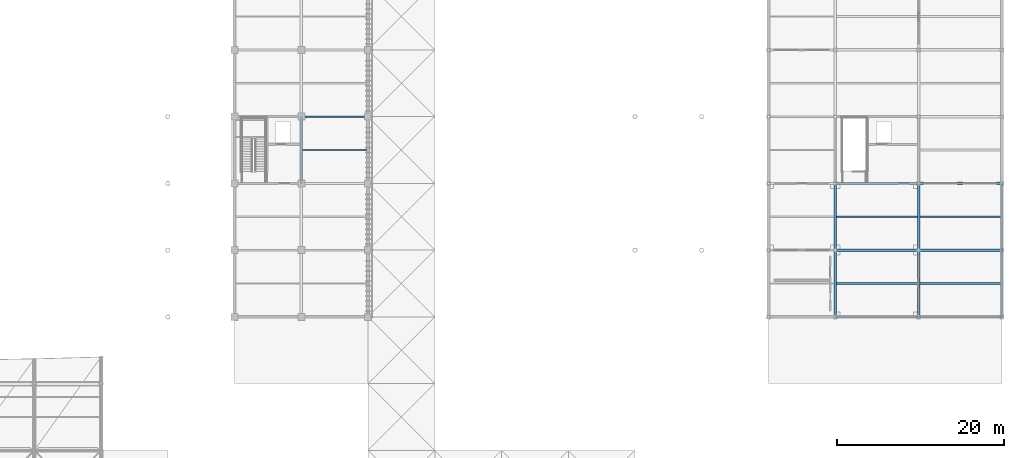
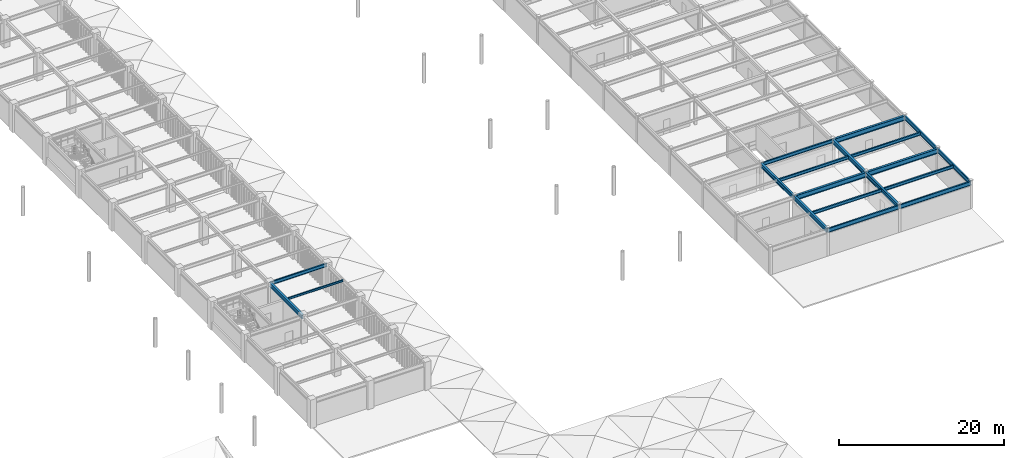
# One storey, part 31 of 78: 19 beams.
"""IFC4 building model written with IfcOpenShell, lengths in metres."""

import ifcopenshell
import ifcopenshell.guid

model = None  # the IFC model being written
_history = None  # IfcOwnerHistory: only IFC2X3 demands one
_inside = {}  # id of a spatial element -> (the spatial element, [elements in it])
_under = {}  # id of a project, library or spatial element -> (it, [spatial elements below it])
_declared = {}  # id of a project -> (the project, [libraries it declares])
_typed = {}  # id of a type object -> (the type object, [elements of that type])
_made_of = {}  # id of a material, layer set ... -> (it, [elements and type objects made of it])


def new_model(schema):
    """Start an empty IFC model of exactly this schema.

    Asked for "IFC4X3", IfcOpenShell would pick the latest addendum, in which some entities
    have other attributes; the version numbers below select the first issue.
    IFC2X3 requires an IfcOwnerHistory on every rooted entity: one is made here for all.
    """
    global model, _history
    if schema == "IFC4X3":
        model = ifcopenshell.file(schema_version=(4, 3, 0, 0))
    else:
        model = ifcopenshell.file(schema=schema)
    _inside.clear()
    _under.clear()
    _declared.clear()
    _typed.clear()
    _made_of.clear()
    _history = None
    if model.schema == "IFC2X3":
        org = make("IfcOrganization", Name="unknown")
        user = make(
            "IfcPersonAndOrganization",
            ThePerson=make("IfcPerson", FamilyName="unknown"),
            TheOrganization=org,
        )
        app = make(
            "IfcApplication",
            ApplicationDeveloper=org,
            Version="unknown",
            ApplicationFullName="unknown",
            ApplicationIdentifier="unknown",
        )
        _history = make(
            "IfcOwnerHistory",
            OwningUser=user,
            OwningApplication=app,
            ChangeAction="ADDED",
            CreationDate=0,
        )
    return model


def make(cls, **values):
    """One entity of the class cls with the attributes given. An attribute that is None is left unset."""
    return model.create_entity(
        cls, **{name: value for name, value in values.items() if value is not None}
    )


def rooted(cls, **values):
    """An entity with a GlobalId (a new one), such as an element, a storey or a relation."""
    return make(cls, GlobalId=ifcopenshell.guid.new(), OwnerHistory=_history, **values)


def si_unit(unit_type, name, prefix=None):
    """IfcSIUnit, for example si_unit("LENGTHUNIT", "METRE", prefix="MILLI")."""
    return make("IfcSIUnit", UnitType=unit_type, Prefix=prefix, Name=name)


def assignment(units):
    """IfcUnitAssignment: the units of a project."""
    return None if units is None else make("IfcUnitAssignment", Units=units)


def point(xyz):
    """IfcCartesianPoint."""
    return None if xyz is None else make("IfcCartesianPoint", Coordinates=xyz)


def direction(xyz):
    """IfcDirection."""
    return None if xyz is None else make("IfcDirection", DirectionRatios=xyz)


def frame(location, z_axis=None, x_axis=None):
    """IfcAxis2Placement3D, a coordinate frame: its origin and axes. An axis left out is left unset."""
    return make(
        "IfcAxis2Placement3D",
        Location=point(location),
        Axis=direction(z_axis),
        RefDirection=direction(x_axis),
    )


def frame_2d(location, x_axis=None):
    """IfcAxis2Placement2D, a coordinate frame in the plane: its origin and x axis."""
    return make(
        "IfcAxis2Placement2D", Location=point(location), RefDirection=direction(x_axis)
    )


def origin():
    """The frame at (0, 0, 0) with its axes left unset."""
    return frame((0.0, 0.0, 0.0))


def origin_2d():
    """The frame at (0, 0) in the plane with its x axis left unset."""
    return frame_2d((0.0, 0.0))


def place(relative_to, where):
    """IfcLocalPlacement: puts the frame where relative to a parent placement (None: the world)."""
    return make(
        "IfcLocalPlacement", PlacementRelTo=relative_to, RelativePlacement=where
    )


def context(
    kind, dimensions, precision=None, world=None, true_north=None, identifier=None
):
    """IfcGeometricRepresentationContext, for example the 3D "Model" context."""
    return make(
        "IfcGeometricRepresentationContext",
        ContextIdentifier=identifier,
        ContextType=kind,
        CoordinateSpaceDimension=dimensions,
        Precision=precision,
        WorldCoordinateSystem=world,
        TrueNorth=true_north,
    )


def subcontext(parent, identifier, kind, view, scale=None):
    """IfcGeometricRepresentationSubContext, for example "Body" below "Model"."""
    return make(
        "IfcGeometricRepresentationSubContext",
        ContextIdentifier=identifier,
        ContextType=kind,
        ParentContext=parent,
        TargetScale=scale,
        TargetView=view,
    )


def project(units=None, contexts=None):
    """IfcProject with its units and contexts."""
    return rooted(
        "IfcProject",
        Name="project",
        RepresentationContexts=contexts,
        UnitsInContext=assignment(units),
    )


def spatial(cls, under=None, at=None, **own):
    """A site, building, storey or space (cls), placed at a placement, below another one or the project."""
    s = rooted(cls, ObjectPlacement=at, **own)
    if under is not None:
        _under.setdefault(under.id(), (under, []))[1].append(s)
    return s


def profile(cls, at=None, kind="AREA", **sizes):
    """A parametric profile (cls). Its sizes go by their IFC names, for example OverallWidth=200.0."""
    return make(cls, ProfileType=kind, Position=at, **sizes)


def i_section(**sizes):
    """IfcIShapeProfileDef."""
    return profile("IfcIShapeProfileDef", **sizes)


def extrude(swept, where, along, depth):
    """IfcExtrudedAreaSolid: the profile swept, set in the frame where, extruded along a direction by depth."""
    return make(
        "IfcExtrudedAreaSolid",
        SweptArea=swept,
        Position=where,
        ExtrudedDirection=direction(along),
        Depth=depth,
    )


def shape(context_of_items, identifier, shape_type, items):
    """IfcShapeRepresentation: the items that make up one representation, for example the "Body"."""
    return make(
        "IfcShapeRepresentation",
        ContextOfItems=context_of_items,
        RepresentationIdentifier=identifier,
        RepresentationType=shape_type,
        Items=items,
    )


def material(Name=None, Category=None):
    """IfcMaterial."""
    return make("IfcMaterial", Name=Name, Category=Category)


def material_profile(
    of_material, cross_section, Name=None, Category=None, Priority=None
):
    """IfcMaterialProfile: a cross section and its material."""
    return make(
        "IfcMaterialProfile",
        Name=Name,
        Material=of_material,
        Profile=cross_section,
        Priority=Priority,
        Category=Category,
    )


def profile_set(profiles, Name=None, composite=None):
    """IfcMaterialProfileSet."""
    return make(
        "IfcMaterialProfileSet",
        Name=Name,
        MaterialProfiles=profiles,
        CompositeProfile=composite,
    )


def made_of(thing, what):
    """Note that an element or type object is made of a material, layer set ...; save() writes the relation."""
    if what is not None:
        _made_of.setdefault(what.id(), (what, []))[1].append(thing)
    return thing


def type_object(cls, material=None, **own):
    """A type object (cls), such as IfcWallType, which elements share."""
    return made_of(rooted(cls, **own), material)


def element(
    cls,
    number,
    at=None,
    inside=None,
    cuts=None,
    type_object=None,
    material=None,
    context=None,
    identifier="Body",
    shape_type=None,
    held_by="IfcProductDefinitionShape",
    body=None,
    shapes=None,
    **own,
):
    """One element of the class cls, such as IfcWall. Its Tag is "e" and its number.

    at: its placement. inside: the storey or other place that contains it. cuts: it is an
    opening in that element (IfcRelVoidsElement). A single representation is given by context,
    identifier, shape_type and body (its items); several are given by shapes. held_by: the class
    of the entity that holds the representations. save() writes the other relations.
    """
    e = rooted(cls, Tag="e%d" % number, ObjectPlacement=at, **own)
    if body is not None:
        shapes = [shape(context, identifier, shape_type, body)]
    if shapes is not None:
        e.Representation = make(held_by, Representations=shapes)
    if inside is not None:
        _inside.setdefault(inside.id(), (inside, []))[1].append(e)
    if cuts is not None:
        rooted(
            "IfcRelVoidsElement", RelatingBuildingElement=cuts, RelatedOpeningElement=e
        )
    if type_object is not None:
        _typed.setdefault(type_object.id(), (type_object, []))[1].append(e)
    return made_of(e, material)


def aggregate(whole, parts):
    """IfcRelAggregates: a whole, such as a stair, and the parts it consists of."""
    return rooted("IfcRelAggregates", RelatingObject=whole, RelatedObjects=parts)


def save(model, path):
    """Write the relations noted so far, then the file.

    IfcRelAggregates (storeys below a building ...), IfcRelContainedInSpatialStructure (elements
    in a storey), IfcRelDefinesByType, IfcRelAssociatesMaterial and IfcRelDeclares: one each for
    every whole, place, type object, material and project.
    """
    for whole, parts in _under.values():
        aggregate(whole, parts)
    for where, things in _inside.values():
        rooted(
            "IfcRelContainedInSpatialStructure",
            RelatedElements=things,
            RelatingStructure=where,
        )
    for kind, things in _typed.values():
        rooted("IfcRelDefinesByType", RelatedObjects=things, RelatingType=kind)
    for what, things in _made_of.values():
        rooted("IfcRelAssociatesMaterial", RelatedObjects=things, RelatingMaterial=what)
    for by, libraries in _declared.values():
        rooted("IfcRelDeclares", RelatingContext=by, RelatedDefinitions=libraries)
    model.write(path)


model = new_model("IFC4")

# Units and contexts
model_context = context("Model", 3, precision=1e-05, world=origin(), true_north=direction((0.0, 1.0)))
body_context = subcontext(model_context, "Body", "Model", "MODEL_VIEW")
ifc_project = project(units=[si_unit("LENGTHUNIT", "METRE"), si_unit("AREAUNIT", "SQUARE_METRE"), si_unit("VOLUMEUNIT", "CUBIC_METRE"), si_unit("PLANEANGLEUNIT", "RADIAN"), si_unit("MASSUNIT", "GRAM", prefix="KILO")], contexts=[model_context])

# Site, building, storey
site_placement = place(None, origin())
site = spatial("IfcSite", under=ifc_project, at=site_placement, CompositionType="ELEMENT")
building_placement = place(site_placement, origin())
building = spatial("IfcBuilding", under=site, at=building_placement, Name="Haebicheon Civic Stadium", CompositionType="ELEMENT")
storey_placement = place(building_placement, frame((0.0, 0.0, 18.60009765625)))
storey = spatial("IfcBuildingStorey", under=building, at=storey_placement, Name="L05", CompositionType="ELEMENT", Elevation=18.60009765625)

# Beams
ifc_material_1 = material(Name="Steel SM355 (S355)", Category="steel")
ifc_material_profile_1 = material_profile(ifc_material_1, i_section(OverallWidth=0.199951171875, OverallDepth=0.5, WebThickness=0.010009765625, FlangeThickness=0.01611328125, at=origin_2d()), Name="H-500x200x10x16")
ifc_profile_set_1 = profile_set([ifc_material_profile_1], Name="Steel SM355 (S355)")
beam_type_1 = type_object("IfcBeamType", Name="BM-ST-H500", PredefinedType="BEAM", material=ifc_profile_set_1)
beam_1_placement = place(storey_placement, frame((152.0, 72.0, 3.699951171875), z_axis=(1.0, 0.0, 0.0), x_axis=(0.0, 1.0, 0.0)))
element("IfcBeam", 1, at=beam_1_placement, inside=storey, type_object=beam_type_1, material=ifc_profile_set_1, Name="L05 beam K/20-21", PredefinedType="BEAM", context=body_context, shape_type="SweptSolid", body=[
    extrude(i_section(OverallWidth=0.199951171875, OverallDepth=0.5, WebThickness=0.010009765625, FlangeThickness=0.01611328125, at=origin_2d()), origin(), (0.0, 0.0, 1.0), 8.0),
])
beam_2_placement = place(storey_placement, frame((216.0, 64.0, 3.72998046875), z_axis=(1.0, 0.0, 0.0), x_axis=(0.0, 1.0, 0.0)))
element("IfcBeam", 2, at=beam_2_placement, inside=storey, type_object=beam_type_1, material=ifc_profile_set_1, Name="L05 beam J/28-29", PredefinedType="BEAM", context=body_context, shape_type="SweptSolid", body=[
    extrude(i_section(OverallWidth=0.199951171875, OverallDepth=0.5, WebThickness=0.010009765625, FlangeThickness=0.01611328125, at=origin_2d()), origin(), (0.0, 0.0, 1.0), 10.0),
])
ifc_material_2 = material(Name="Steel SM355 (S355)", Category="steel")
ifc_material_profile_2 = material_profile(ifc_material_2, i_section(OverallWidth=0.300048828125, OverallDepth=0.60009765625, WebThickness=0.011962890625, FlangeThickness=0.02001953125, at=origin_2d()), Name="H-600x300x12x20")
ifc_profile_set_2 = profile_set([ifc_material_profile_2], Name="Steel SM355 (S355)")
beam_type_2 = type_object("IfcBeamType", Name="BM-ST-H600A", PredefinedType="BEAM", material=ifc_profile_set_2)
for number, where, z_axis, x_axis, name in (
    (3, (152.0, 64.0, 3.64990234375), (0.0, 1.0, 0.0), (-1.0, 0.0, 0.0), "L05 girder 20/J-K"),
    (4, (216.0, 48.0, 3.679931640625), (0.0, 1.0, 0.0), (-1.0, 0.0, 0.0), "L05 girder 28/G-H"),
    (5, (216.0, 56.0, 3.679931640625), (0.0, 1.0, 0.0), (-1.0, 0.0, 0.0), "L05 girder 28/H-J"),
    (6, (226.0, 48.0, 3.679931640625), (0.0, 1.0, 0.0), (-1.0, 0.0, 0.0), "L05 girder 29/G-H"),
    (7, (226.0, 56.0, 3.679931640625), (0.0, 1.0, 0.0), (-1.0, 0.0, 0.0), "L05 girder 29/H-J"),
):
    element("IfcBeam", number, at=place(storey_placement, frame(where, z_axis=z_axis, x_axis=x_axis)), inside=storey, type_object=beam_type_2, material=ifc_profile_set_2, Name=name, PredefinedType="BEAM", context=body_context, shape_type="SweptSolid", body=[
        extrude(i_section(OverallWidth=0.300048828125, OverallDepth=0.60009765625, WebThickness=0.011962890625, FlangeThickness=0.02001953125, at=origin_2d()), origin(), (0.0, 0.0, 1.0), 8.0),
    ])
ifc_material_3 = material(Name="Steel SM490", Category="steel")
ifc_material_profile_3 = material_profile(ifc_material_3, i_section(OverallWidth=0.300048828125, OverallDepth=0.699951171875, WebThickness=0.012939453125, FlangeThickness=0.02392578125, at=origin_2d()), Name="H-700x300x13x24")
ifc_profile_set_3 = profile_set([ifc_material_profile_3], Name="Steel SM490")
beam_type_3 = type_object("IfcBeamType", Name="BM-ST-H700", PredefinedType="BEAM", material=ifc_profile_set_3)
for number, where, z_axis, x_axis, name in (
    (8, (216.0, 56.0, 3.6298828125), (1.0, 0.0, 0.0), (0.0, 1.0, 0.0), "L05 beam H/28-29"),
    (9, (226.0, 56.0, 3.6298828125), (1.0, 0.0, 0.0), (0.0, 1.0, 0.0), "L05 beam H/29-30"),
    (10, (226.0, 64.0, 3.6298828125), (1.0, 0.0, 0.0), (0.0, 1.0, 0.0), "L05 beam J/29-30"),
):
    element("IfcBeam", number, at=place(storey_placement, frame(where, z_axis=z_axis, x_axis=x_axis)), inside=storey, type_object=beam_type_3, material=ifc_profile_set_3, Name=name, PredefinedType="BEAM", context=body_context, shape_type="SweptSolid", body=[
        extrude(i_section(OverallWidth=0.300048828125, OverallDepth=0.699951171875, WebThickness=0.012939453125, FlangeThickness=0.02392578125, at=origin_2d()), origin(), (0.0, 0.0, 1.0), 10.0),
    ])
ifc_material_4 = material(Name="Steel SM355 (S355)", Category="steel")
ifc_material_profile_4 = material_profile(ifc_material_4, i_section(OverallWidth=0.14990234375, OverallDepth=0.300048828125, WebThickness=0.006591796875, FlangeThickness=0.009033203125, at=origin_2d()), Name="H-300x150x6.5x9")
ifc_profile_set_4 = profile_set([ifc_material_profile_4], Name="Steel SM355 (S355)")
beam_type_4 = type_object("IfcBeamType", Name="JST-ST-H300", PredefinedType="JOIST", material=ifc_profile_set_4)
beam_3_placement = place(storey_placement, frame((152.14990234375, 68.0, 3.7998046875), z_axis=(1.0, 0.0, 0.0), x_axis=(0.0, 1.0, 0.0)))
element("IfcBeam", 11, at=beam_3_placement, inside=storey, type_object=beam_type_4, material=ifc_profile_set_4, Name="L05 secondary joist 19-08", PredefinedType="JOIST", context=body_context, shape_type="SweptSolid", body=[
    extrude(i_section(OverallWidth=0.14990234375, OverallDepth=0.300048828125, WebThickness=0.006591796875, FlangeThickness=0.009033203125, at=origin_2d()), origin(), (0.0, 0.0, 1.0), 7.75),
])
ifc_material_5 = material(Name="Steel SM355 (S355)", Category="steel")
ifc_material_profile_5 = material_profile(ifc_material_5, i_section(OverallWidth=0.199951171875, OverallDepth=0.449951171875, WebThickness=0.009033203125, FlangeThickness=0.013916015625, at=origin_2d()), Name="H-450x200x9x14")
ifc_profile_set_5 = profile_set([ifc_material_profile_5], Name="Steel SM355 (S355)")
beam_type_5 = type_object("IfcBeamType", Name="JST-ST-H450", PredefinedType="JOIST", material=ifc_profile_set_5)
for number, where, z_axis, x_axis, name in (
    (12, (216.14990234375, 52.0, 3.7548828125), (1.0, 0.0, 0.0), (0.0, 1.0, 0.0), "L05 secondary joist 27-06"),
    (13, (216.14990234375, 60.0, 3.7548828125), (1.0, 0.0, 0.0), (0.0, 1.0, 0.0), "L05 secondary joist 27-07"),
):
    element("IfcBeam", number, at=place(storey_placement, frame(where, z_axis=z_axis, x_axis=x_axis)), inside=storey, type_object=beam_type_5, material=ifc_profile_set_5, Name=name, PredefinedType="JOIST", context=body_context, shape_type="SweptSolid", body=[
        extrude(i_section(OverallWidth=0.199951171875, OverallDepth=0.449951171875, WebThickness=0.009033203125, FlangeThickness=0.013916015625, at=origin_2d()), origin(), (0.0, 0.0, 1.0), 9.7001953125),
    ])
for number, where, z_axis, x_axis, name in (
    (14, (226.14990234375, 52.0, 3.7548828125), (1.0, 0.0, 0.0), (0.0, 1.0, 0.0), "L05 secondary joist 28-06"),
    (15, (226.14990234375, 60.0, 3.7548828125), (1.0, 0.0, 0.0), (0.0, 1.0, 0.0), "L05 secondary joist 28-07"),
):
    element("IfcBeam", number, at=place(storey_placement, frame(where, z_axis=z_axis, x_axis=x_axis)), inside=storey, type_object=beam_type_5, material=ifc_profile_set_5, Name=name, PredefinedType="JOIST", context=body_context, shape_type="SweptSolid", body=[
        extrude(i_section(OverallWidth=0.199951171875, OverallDepth=0.449951171875, WebThickness=0.009033203125, FlangeThickness=0.013916015625, at=origin_2d()), origin(), (0.0, 0.0, 1.0), 9.75),
    ])
ifc_material_6 = material(Name="Steel SM355 (S355)", Category="steel")
ifc_material_profile_6 = material_profile(ifc_material_6, i_section(OverallWidth=0.199951171875, OverallDepth=0.60009765625, WebThickness=0.010986328125, FlangeThickness=0.01708984375, at=origin_2d()), Name="H-600x200x11x17")
ifc_profile_set_6 = profile_set([ifc_material_profile_6], Name="Steel SM355 (S355)")
beam_type_6 = type_object("IfcBeamType", Name="SPD-ST-H600B", PredefinedType="SPANDREL", material=ifc_profile_set_6)
for number, where, z_axis, x_axis, name in (
    (16, (236.0, 48.0, 3.679931640625), (0.0, 1.0, 0.0), (-1.0, 0.0, 0.0), "L05 girder 30/G-H"),
    (17, (236.0, 56.0, 3.679931640625), (0.0, 1.0, 0.0), (-1.0, 0.0, 0.0), "L05 girder 30/H-J"),
):
    element("IfcBeam", number, at=place(storey_placement, frame(where, z_axis=z_axis, x_axis=x_axis)), inside=storey, type_object=beam_type_6, material=ifc_profile_set_6, Name=name, PredefinedType="SPANDREL", context=body_context, shape_type="SweptSolid", body=[
        extrude(i_section(OverallWidth=0.199951171875, OverallDepth=0.60009765625, WebThickness=0.010986328125, FlangeThickness=0.01708984375, at=origin_2d()), origin(), (0.0, 0.0, 1.0), 8.0),
    ])
for number, where, z_axis, x_axis, name in (
    (18, (216.0, 48.0, 3.679931640625), (1.0, 0.0, 0.0), (0.0, 1.0, 0.0), "L05 beam G/28-29"),
    (19, (226.0, 48.0, 3.679931640625), (1.0, 0.0, 0.0), (0.0, 1.0, 0.0), "L05 beam G/29-30"),
):
    element("IfcBeam", number, at=place(storey_placement, frame(where, z_axis=z_axis, x_axis=x_axis)), inside=storey, type_object=beam_type_6, material=ifc_profile_set_6, Name=name, PredefinedType="SPANDREL", context=body_context, shape_type="SweptSolid", body=[
        extrude(i_section(OverallWidth=0.199951171875, OverallDepth=0.60009765625, WebThickness=0.010986328125, FlangeThickness=0.01708984375, at=origin_2d()), origin(), (0.0, 0.0, 1.0), 10.0),
    ])

save(model, "model.ifc")
